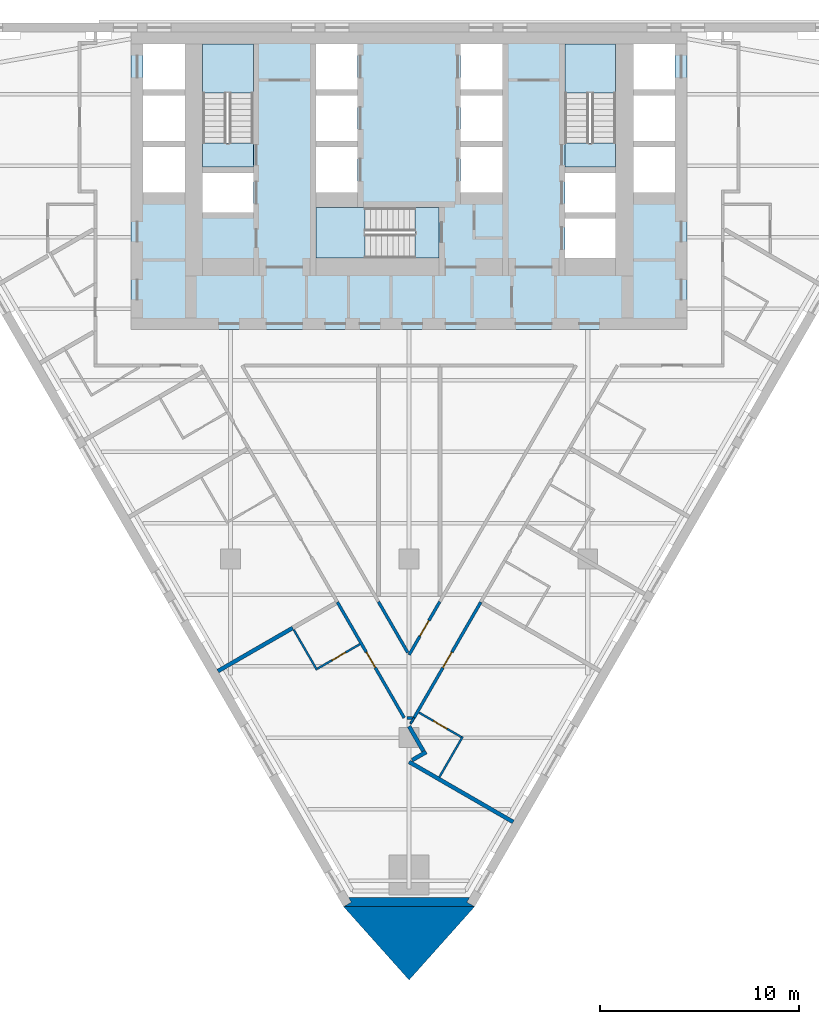
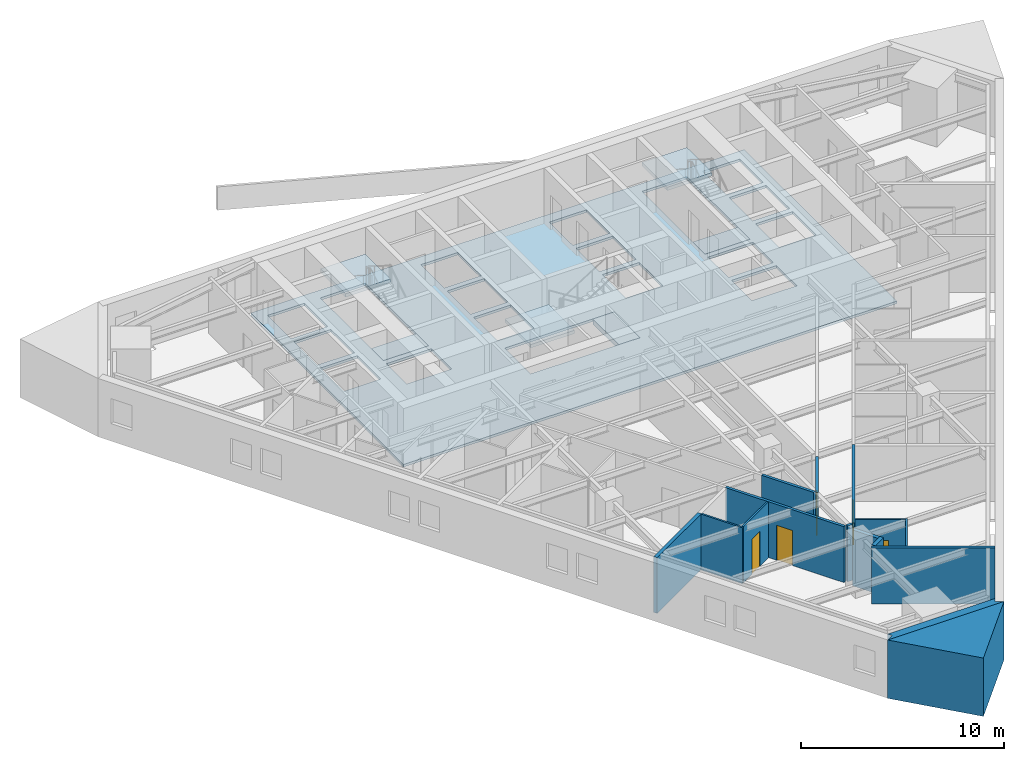
# One storey, part 2 of 11: 16 walls, 7 slabs, 5 doors, 5 openings, 3 elements without a shape of their own.
"""IFC4 building model written with IfcOpenShell, lengths in metres."""

from ifc_helpers import new_model, si_unit, direction, frame, frame_2d, origin, place, context, subcontext, project, spatial, polyline, rectangle, outline, extrude, material, layer, layer_set, type_object, element, fill, aggregate, save


model = new_model("IFC4")

# Units and contexts
model_context = context("Model", 3, precision=1e-05, world=origin(), true_north=direction((0.0, 1.0)))
body_context = subcontext(model_context, "Body", "Model", "MODEL_VIEW")
ifc_project = project(units=[si_unit("LENGTHUNIT", "METRE"), si_unit("AREAUNIT", "SQUARE_METRE"), si_unit("VOLUMEUNIT", "CUBIC_METRE"), si_unit("PLANEANGLEUNIT", "RADIAN"), si_unit("MASSUNIT", "GRAM", prefix="KILO")], contexts=[model_context])

# Site, building, storey
site_placement = place(None, origin())
site = spatial("IfcSite", under=ifc_project, at=site_placement, CompositionType="ELEMENT")
building_placement = place(site_placement, origin())
building = spatial("IfcBuilding", under=site, at=building_placement, Name="Aloe Facet Convention Tower", CompositionType="ELEMENT")
storey_placement = place(building_placement, frame((0.0, 0.0, 38.5)))
storey = spatial("IfcBuildingStorey", under=building, at=storey_placement, Name="L07", CompositionType="ELEMENT", Elevation=38.5)

# Slabs
ifc_material_1 = material(Name="Concrete C80/95", Category="concrete")
ifc_layer_1 = layer(ifc_material_1, 0.14990234375)
ifc_layer_set_1 = layer_set([ifc_layer_1], Name="CR-S-FLOOR150-C8095")
slab_type_1 = type_object("IfcSlabType", Name="CR-S-FLOOR150-C8095", PredefinedType="FLOOR", material=ifc_layer_set_1)
slab_1_placement = place(storey_placement, frame((0.0, 0.0, -0.14990234375)))
element("IfcSlab", 1, at=slab_1_placement, inside=storey, type_object=slab_type_1, Name="Core floor L07", PredefinedType="FLOOR", context=body_context, shape_type="SweptSolid", body=[
    extrude(outline(polyline([(69.300048828125, 134.550048828125), (71.85009765625, 134.550048828125), (72.75, 134.550048828125), (74.699951171875, 134.550048828125), (75.60009765625, 134.550048828125), (77.10009765625, 134.550048828125), (78.0, 134.550048828125), (82.0, 134.550048828125), (82.89990234375, 134.550048828125), (84.39990234375, 134.550048828125), (85.300048828125, 134.550048828125), (87.25, 134.550048828125), (88.14990234375, 134.550048828125), (90.699951171875, 134.550048828125), (91.0, 134.550048828125), (94.0, 134.550048828125), (94.0, 131.949951171875), (94.0, 131.050048828125), (94.0, 129.35009765625), (94.0, 128.449951171875), (94.0, 126.449951171875), (94.0, 125.85009765625), (94.0, 123.57373046875), (94.0, 122.523681640625), (94.0, 119.550048828125), (91.300048828125, 119.550048828125), (90.699951171875, 119.550048828125), (87.89990234375, 119.550048828125), (86.85009765625, 119.550048828125), (85.699951171875, 119.550048828125), (84.64990234375, 119.550048828125), (83.699951171875, 119.550048828125), (82.64990234375, 119.550048828125), (81.75, 119.550048828125), (80.699951171875, 119.550048828125), (79.61669921875, 119.550048828125), (78.566650390625, 119.550048828125), (77.4833984375, 119.550048828125), (76.433349609375, 119.550048828125), (75.35009765625, 119.550048828125), (74.300048828125, 119.550048828125), (73.14990234375, 119.550048828125), (72.10009765625, 119.550048828125), (69.300048828125, 119.550048828125), (68.699951171875, 119.550048828125), (66.0, 119.550048828125), (66.0, 122.523681640625), (66.0, 123.57373046875), (66.0, 125.85009765625), (66.0, 126.449951171875), (66.0, 128.449951171875), (66.0, 129.35009765625), (66.0, 131.050048828125), (66.0, 131.949951171875), (66.0, 134.550048828125), (69.0, 134.550048828125), (69.300048828125, 134.550048828125)]), holes=[polyline([(75.300048828125, 123.14990234375), (80.298828125, 123.14990234375), (81.5, 123.14990234375), (81.5, 125.699951171875), (80.298828125, 125.699951171875), (75.300048828125, 125.699951171875), (75.300048828125, 123.14990234375)]), polyline([(69.60009765625, 125.449951171875), (72.14990234375, 125.449951171875), (72.14990234375, 127.449951171875), (69.60009765625, 127.449951171875), (69.60009765625, 125.449951171875)]), polyline([(66.60009765625, 126.449951171875), (68.699951171875, 126.449951171875), (68.699951171875, 128.75), (66.60009765625, 128.75), (66.60009765625, 126.449951171875)]), polyline([(75.300048828125, 126.449951171875), (77.39990234375, 126.449951171875), (77.39990234375, 128.75), (75.300048828125, 128.75), (75.300048828125, 126.449951171875)]), polyline([(66.60009765625, 129.050048828125), (68.699951171875, 129.050048828125), (68.699951171875, 131.35009765625), (66.60009765625, 131.35009765625), (66.60009765625, 129.050048828125)]), polyline([(75.300048828125, 129.050048828125), (77.39990234375, 129.050048828125), (77.39990234375, 131.35009765625), (75.300048828125, 131.35009765625), (75.300048828125, 129.050048828125)]), polyline([(69.60009765625, 133.949951171875), (69.60009765625, 128.951171875), (69.60009765625, 127.75), (72.14990234375, 127.75), (72.14990234375, 128.951171875), (72.14990234375, 133.949951171875), (69.60009765625, 133.949951171875)]), polyline([(66.60009765625, 133.949951171875), (66.60009765625, 131.64990234375), (68.699951171875, 131.64990234375), (68.699951171875, 133.949951171875), (66.60009765625, 133.949951171875)]), polyline([(75.300048828125, 133.949951171875), (75.300048828125, 131.64990234375), (77.39990234375, 131.64990234375), (77.39990234375, 133.949951171875), (75.300048828125, 133.949951171875)]), polyline([(87.85009765625, 123.14990234375), (90.39990234375, 123.14990234375), (90.39990234375, 125.14990234375), (87.85009765625, 125.14990234375), (87.85009765625, 123.14990234375)]), polyline([(87.85009765625, 125.449951171875), (90.39990234375, 125.449951171875), (90.39990234375, 127.449951171875), (87.85009765625, 127.449951171875), (87.85009765625, 125.449951171875)]), polyline([(82.60009765625, 126.449951171875), (84.699951171875, 126.449951171875), (84.699951171875, 128.75), (82.60009765625, 128.75), (82.60009765625, 126.449951171875)]), polyline([(91.300048828125, 126.449951171875), (93.39990234375, 126.449951171875), (93.39990234375, 128.75), (91.300048828125, 128.75), (91.300048828125, 126.449951171875)]), polyline([(82.60009765625, 129.050048828125), (84.699951171875, 129.050048828125), (84.699951171875, 131.35009765625), (82.60009765625, 131.35009765625), (82.60009765625, 129.050048828125)]), polyline([(91.300048828125, 129.050048828125), (93.39990234375, 129.050048828125), (93.39990234375, 131.35009765625), (91.300048828125, 131.35009765625), (91.300048828125, 129.050048828125)]), polyline([(87.85009765625, 133.949951171875), (87.85009765625, 128.951171875), (87.85009765625, 127.75), (90.39990234375, 127.75), (90.39990234375, 128.951171875), (90.39990234375, 133.949951171875), (87.85009765625, 133.949951171875)]), polyline([(82.60009765625, 133.949951171875), (82.60009765625, 131.64990234375), (84.699951171875, 131.64990234375), (84.699951171875, 133.949951171875), (82.60009765625, 133.949951171875)]), polyline([(91.300048828125, 133.949951171875), (91.300048828125, 131.64990234375), (93.39990234375, 131.64990234375), (93.39990234375, 133.949951171875), (91.300048828125, 133.949951171875)])]), origin(), (0.0, 0.0, 1.0), 0.14990234375),
])
ifc_material_2 = material(Name="Concrete C80/95", Category="concrete")
ifc_layer_2 = layer(ifc_material_2, 0.300048828125)
ifc_layer_set_2 = layer_set([ifc_layer_2], Name="CR-S-FLOOR300-C8095")
slab_type_2 = type_object("IfcSlabType", Name="CR-S-FLOOR300-C8095", PredefinedType="FLOOR", material=ifc_layer_set_2)
slab_2_placement = place(storey_placement, frame((0.0, 0.0, -0.300048828125)))
element("IfcSlab", 2, at=slab_2_placement, inside=storey, type_object=slab_type_2, Name="Stair landing floor L07", PredefinedType="FLOOR", context=body_context, shape_type="SweptSolid", body=[
    extrude(outline(polyline([(72.14990234375, 127.75), (72.14990234375, 128.951171875), (69.60009765625, 128.951171875), (69.60009765625, 127.75), (72.14990234375, 127.75)])), origin(), (0.0, 0.0, 1.0), 0.300048828125),
])
slab_3_placement = place(storey_placement, frame((0.0, 0.0, -0.300048828125)))
element("IfcSlab", 3, at=slab_3_placement, inside=storey, type_object=slab_type_2, Name="Stair landing floor L07", PredefinedType="FLOOR", context=body_context, shape_type="SweptSolid", body=[
    extrude(outline(polyline([(90.39990234375, 127.75), (90.39990234375, 128.951171875), (87.85009765625, 128.951171875), (87.85009765625, 127.75), (90.39990234375, 127.75)])), origin(), (0.0, 0.0, 1.0), 0.300048828125),
])
slab_4_placement = place(storey_placement, frame((0.0, 0.0, -0.300048828125)))
element("IfcSlab", 4, at=slab_4_placement, inside=storey, type_object=slab_type_2, Name="Stair landing floor L07", PredefinedType="FLOOR", context=body_context, shape_type="SweptSolid", body=[
    extrude(outline(polyline([(81.5, 125.699951171875), (80.298828125, 125.699951171875), (80.298828125, 123.14990234375), (81.5, 123.14990234375), (81.5, 125.699951171875)])), origin(), (0.0, 0.0, 1.0), 0.300048828125),
])

# Stair, slab
ifc_material_3 = material(Name="Concrete C50/60", Category="concrete")
stair_type = type_object("IfcStairType", Name="CR-ST-20R", PredefinedType="HALF_TURN_STAIR", material=ifc_material_3)
stair_1_placement = place(storey_placement, origin())
stair_1 = element("IfcStair", 5, at=stair_1_placement, inside=storey, type_object=stair_type, Name="L07 Protected exit stair ST1", PredefinedType="HALF_TURN_STAIR")
ifc_material_4 = material(Name="Concrete C50/60", Category="concrete")
ifc_layer_3 = layer(ifc_material_4, 0.199951171875)
ifc_layer_set_3 = layer_set([ifc_layer_3], Name="CR-SL-LANDING")
slab_type_3 = type_object("IfcSlabType", Name="CR-SL-LANDING", PredefinedType="LANDING", material=ifc_layer_set_3)
slab_5_placement = place(storey_placement, frame((0.0, 0.0, 1.550048828125)))
slab_5 = element("IfcSlab", 6, at=slab_5_placement, type_object=slab_type_3, Name="ST1 landing 1", PredefinedType="LANDING", context=body_context, shape_type="SweptSolid", body=[
    extrude(outline(polyline([(72.14990234375, 131.469970703125), (72.14990234375, 133.949951171875), (69.60009765625, 133.949951171875), (69.60009765625, 131.469970703125), (72.14990234375, 131.469970703125)])), origin(), (0.0, 0.0, 1.0), 0.199951171875),
])
aggregate(stair_1, [slab_5])

stair_2_placement = place(storey_placement, origin())
stair_2 = element("IfcStair", 7, at=stair_2_placement, inside=storey, type_object=stair_type, Name="L07 Protected exit stair ST2", PredefinedType="HALF_TURN_STAIR")
slab_6_placement = place(storey_placement, frame((0.0, 0.0, 1.550048828125)))
slab_6 = element("IfcSlab", 8, at=slab_6_placement, type_object=slab_type_3, Name="ST2 landing 1", PredefinedType="LANDING", context=body_context, shape_type="SweptSolid", body=[
    extrude(outline(polyline([(90.39990234375, 131.469970703125), (90.39990234375, 133.949951171875), (87.85009765625, 133.949951171875), (87.85009765625, 131.469970703125), (90.39990234375, 131.469970703125)])), origin(), (0.0, 0.0, 1.0), 0.199951171875),
])
aggregate(stair_2, [slab_6])

stair_3_placement = place(storey_placement, origin())
stair_3 = element("IfcStair", 9, at=stair_3_placement, inside=storey, type_object=stair_type, Name="L07 Protected exit stair ST3", PredefinedType="HALF_TURN_STAIR")
slab_7_placement = place(storey_placement, frame((0.0, 0.0, 1.550048828125)))
slab_7 = element("IfcSlab", 10, at=slab_7_placement, type_object=slab_type_3, Name="ST3 landing 1", PredefinedType="LANDING", context=body_context, shape_type="SweptSolid", body=[
    extrude(outline(polyline([(77.780029296875, 125.699951171875), (75.300048828125, 125.699951171875), (75.300048828125, 123.14990234375), (77.780029296875, 123.14990234375), (77.780029296875, 125.699951171875)])), origin(), (0.0, 0.0, 1.0), 0.199951171875),
])
aggregate(stair_3, [slab_7])

# Walls
ifc_material_5 = material(Name="Precast concrete C40/50", Category="concrete")
ifc_layer_4 = layer(ifc_material_5, 0.449951171875)
ifc_layer_set_4 = layer_set([ifc_layer_4], Name="EV-WALL-PIER")
wall_type_1 = type_object("IfcWallType", Name="EV-WALL-PIER", PredefinedType="SOLIDWALL", material=ifc_layer_set_4)
wall_1_placement = place(storey_placement, frame((0.0, 0.0, -0.14990234375)))
element("IfcWall", 11, at=wall_1_placement, inside=storey, type_object=wall_type_1, Name="EP-L07-B", PredefinedType="SOLIDWALL", context=body_context, shape_type="SweptSolid", body=[
    extrude(outline(polyline([(76.699951171875, 90.486328125), (77.089599609375, 90.711181640625), (76.959716796875, 90.936279296875), (83.040283203125, 90.936279296875), (82.910400390625, 90.711181640625), (83.300048828125, 90.486328125), (76.699951171875, 90.486328125)])), origin(), (0.0, 0.0, 1.0), 3.5),
])
ifc_material_6 = material(Name="Precast concrete C40/50", Category="concrete")
ifc_layer_5 = layer(ifc_material_6, 3.947998046875)
ifc_layer_set_5 = layer_set([ifc_layer_5], Name="EV-WALL-SPINE")
wall_type_2 = type_object("IfcWallType", Name="EV-WALL-SPINE", PredefinedType="SOLIDWALL", material=ifc_layer_set_5)
wall_2_placement = place(storey_placement, frame((0.0, 0.0, -0.14990234375)))
element("IfcWall", 12, at=wall_2_placement, inside=storey, type_object=wall_type_2, Name="SP-S-L07", PredefinedType="SOLIDWALL", context=body_context, shape_type="SweptSolid", body=[
    extrude(outline(polyline([(76.699951171875, 90.486328125), (80.0, 86.7919921875), (83.300048828125, 90.486328125), (76.699951171875, 90.486328125)])), origin(), (0.0, 0.0, 1.0), 3.5),
])

# Wall, opening, door
ifc_material_7 = material(Name="Gypsum board partition on steel studs", Category="steel")
ifc_layer_6 = layer(ifc_material_7, 0.14990234375)
ifc_layer_set_6 = layer_set([ifc_layer_6], Name="IN-W-CORR")
wall_type_3 = type_object("IfcWallType", Name="IN-W-CORR", PredefinedType="PARTITIONING", material=ifc_layer_set_6)
wall_3_placement = place(storey_placement, frame((76.388671875, 105.82568359375, 0.0), z_axis=(0.0, 0.0, 1.0), x_axis=(0.500034510166, -0.866005478414, 0.0)))
wall_3 = element("IfcWall", 13, at=wall_3_placement, inside=storey, type_object=wall_type_3, Name="Partition L07-W011", PredefinedType="PARTITIONING", context=body_context, shape_type="SweptSolid", body=[
    extrude(rectangle(XDim=6.72705078125, YDim=0.14990234375, at=frame_2d((3.363525390625, 0.0))), origin(), (0.0, 0.0, 1.0), 3.35009765625),
])
opening_1_placement = place(wall_3_placement, frame((2.91357421875, 0.0, 0.0)))
opening_1 = element("IfcOpeningElement", 14, at=opening_1_placement, cuts=wall_3, Name="Opening L07-007", PredefinedType="OPENING", context=body_context, shape_type="SweptSolid", body=[
    extrude(rectangle(XDim=0.89990234375, YDim=2.10009765625, at=frame_2d((0.449951171875, 1.050048828125))), frame((0.0, 0.0849609375, 0.0), z_axis=(0.0, -1.0, 0.0), x_axis=(1.0, 0.0, 0.0)), (0.0, 0.0, 1.0), 0.169921875),
])
ifc_material_8 = material(Name="Hardwood flush door FD30S", Category="wood")
door_type_1 = type_object("IfcDoorType", Name="IN-D-GUEST", OperationType="SINGLE_SWING_LEFT", PredefinedType="DOOR", material=ifc_material_8)
door_1_placement = place(opening_1_placement, origin())
door_1 = element("IfcDoor", 15, at=door_1_placement, inside=storey, type_object=door_type_1, Name="Door L07-007", OperationType="SINGLE_SWING_LEFT", OverallHeight=2.10009765625, OverallWidth=0.89990234375, PredefinedType="DOOR", context=body_context, shape_type="SweptSolid", body=[
    extrude(rectangle(XDim=0.89990234375, YDim=2.10009765625, at=frame_2d((0.449951171875, 1.050048828125))), frame((0.0, 0.02490234375, 0.0), z_axis=(0.0, -1.0, 0.0), x_axis=(1.0, 0.0, 0.0)), (0.0, 0.0, 1.0), 0.050048828125),
])
fill(opening_1, door_1)

# Wall
wall_4_placement = place(storey_placement, frame((79.88232421875, 100.0, 0.0), z_axis=(0.0, 0.0, 1.0), x_axis=(1.0, 0.0, 0.0)))
element("IfcWall", 16, at=wall_4_placement, inside=storey, type_object=wall_type_3, Name="Partition L07-W012", PredefinedType="PARTITIONING", context=body_context, shape_type="SweptSolid", body=[
    extrude(rectangle(XDim=0.29052734375, YDim=0.14990234375, at=frame_2d((0.145263671875, 0.0))), origin(), (0.0, 0.0, 1.0), 3.35009765625),
])

# Wall, opening, door
wall_5_placement = place(storey_placement, frame((80.0, 103.17041015625, 0.0), z_axis=(0.0, 0.0, 1.0), x_axis=(0.499980071345, 0.866036909293, 0.0)))
wall_5 = element("IfcWall", 17, at=wall_5_placement, inside=storey, type_object=wall_type_3, Name="Partition L07-W018", PredefinedType="PARTITIONING", context=body_context, shape_type="SweptSolid", body=[
    extrude(rectangle(XDim=3.090087890625, YDim=0.14990234375, at=frame_2d((1.544921875, 0.0))), origin(), (0.0, 0.0, 1.0), 3.35009765625),
])
opening_2_placement = place(wall_5_placement, frame((1.094970703125, 0.0, 0.0)))
opening_2 = element("IfcOpeningElement", 18, at=opening_2_placement, cuts=wall_5, Name="Opening L07-014", PredefinedType="OPENING", context=body_context, shape_type="SweptSolid", body=[
    extrude(rectangle(XDim=0.89990234375, YDim=2.10009765625, at=frame_2d((0.449951171875, 1.050048828125))), frame((0.0, 0.0849609375, 0.0), z_axis=(0.0, -1.0, 0.0), x_axis=(1.0, 0.0, 0.0)), (0.0, 0.0, 1.0), 0.169921875),
])
door_2_placement = place(opening_2_placement, origin())
door_2 = element("IfcDoor", 19, at=door_2_placement, inside=storey, type_object=door_type_1, Name="Door L07-014", OperationType="SINGLE_SWING_LEFT", OverallHeight=2.10009765625, OverallWidth=0.89990234375, PredefinedType="DOOR", context=body_context, shape_type="SweptSolid", body=[
    extrude(rectangle(XDim=0.89990234375, YDim=2.10009765625, at=frame_2d((0.449951171875, 1.050048828125))), frame((0.0, 0.02490234375, 0.0), z_axis=(0.0, -1.0, 0.0), x_axis=(1.0, 0.0, 0.0)), (0.0, 0.0, 1.0), 0.050048828125),
])
fill(opening_2, door_2)

wall_6_placement = place(storey_placement, frame((80.248046875, 100.0, 0.0), z_axis=(0.0, 0.0, 1.0), x_axis=(0.499980071345, 0.866036909293, 0.0)))
wall_6 = element("IfcWall", 20, at=wall_6_placement, inside=storey, type_object=wall_type_3, Name="Partition L07-W025", PredefinedType="PARTITIONING", context=body_context, shape_type="SweptSolid", body=[
    extrude(rectangle(XDim=6.726806640625, YDim=0.14990234375, at=frame_2d((3.36328125, 0.0))), origin(), (0.0, 0.0, 1.0), 3.35009765625),
])
opening_3_placement = place(wall_6_placement, frame((2.91357421875, 0.0, 0.0)))
opening_3 = element("IfcOpeningElement", 21, at=opening_3_placement, cuts=wall_6, Name="Opening L07-008", PredefinedType="OPENING", context=body_context, shape_type="SweptSolid", body=[
    extrude(rectangle(XDim=0.89990234375, YDim=2.10009765625, at=frame_2d((0.449951171875, 1.050048828125))), frame((0.0, 0.0849609375, 0.0), z_axis=(0.0, -1.0, 0.0), x_axis=(1.0, 0.0, 0.0)), (0.0, 0.0, 1.0), 0.169921875),
])
door_3_placement = place(opening_3_placement, origin())
door_3 = element("IfcDoor", 22, at=door_3_placement, inside=storey, type_object=door_type_1, Name="Door L07-008", OperationType="SINGLE_SWING_LEFT", OverallHeight=2.10009765625, OverallWidth=0.89990234375, PredefinedType="DOOR", context=body_context, shape_type="SweptSolid", body=[
    extrude(rectangle(XDim=0.89990234375, YDim=2.10009765625, at=frame_2d((0.449951171875, 1.050048828125))), frame((0.0, 0.02490234375, 0.0), z_axis=(0.0, -1.0, 0.0), x_axis=(1.0, 0.0, 0.0)), (0.0, 0.0, 1.0), 0.050048828125),
])
fill(opening_3, door_3)

# Walls
wall_7_placement = place(storey_placement, frame((78.455078125, 105.846435546875, 0.0), z_axis=(0.0, 0.0, 1.0), x_axis=(0.499988999718, -0.866031754707, 0.0)))
element("IfcWall", 23, at=wall_7_placement, inside=storey, type_object=wall_type_3, Name="Partition L07-W027", PredefinedType="PARTITIONING", context=body_context, shape_type="SweptSolid", body=[
    extrude(rectangle(XDim=2.9599609375, YDim=0.14990234375, at=frame_2d((1.47998046875, 0.0))), origin(), (0.0, 0.0, 1.0), 3.35009765625),
])
ifc_material_9 = material(Name="Gypsum board partition on steel studs", Category="steel")
ifc_layer_7 = layer(ifc_material_9, 0.10009765625)
ifc_layer_set_7 = layer_set([ifc_layer_7], Name="IN-W-PART")
wall_type_4 = type_object("IfcWallType", Name="IN-W-PART", PredefinedType="PARTITIONING", material=ifc_layer_set_7)
wall_8_placement = place(storey_placement, frame((81.526123046875, 97.013671875, 0.0), z_axis=(0.0, 0.0, 1.0), x_axis=(0.499938297808, 0.866061024631, 0.0)))
element("IfcWall", 24, at=wall_8_placement, inside=storey, type_object=wall_type_4, Name="Partition L07-W007", PredefinedType="PARTITIONING", context=body_context, shape_type="SweptSolid", body=[
    extrude(rectangle(XDim=2.349853515625, YDim=0.10009765625, at=frame_2d((1.1748046875, 0.0))), origin(), (0.0, 0.0, 1.0), 3.35009765625),
])
wall_9_placement = place(storey_placement, frame((80.072265625, 99.695556640625, 0.0), z_axis=(0.0, 0.0, 1.0), x_axis=(0.500023029176, 0.866012107475, 0.0)))
element("IfcWall", 25, at=wall_9_placement, inside=storey, type_object=wall_type_4, Name="Partition L07-W009", PredefinedType="PARTITIONING", context=body_context, shape_type="SweptSolid", body=[
    extrude(rectangle(XDim=0.3515625, YDim=0.10009765625, at=frame_2d((0.17578125, 0.0))), origin(), (0.0, 0.0, 1.0), 3.35009765625),
])

# Wall, opening, door
wall_10_placement = place(storey_placement, frame((80.498046875, 100.262939453125, 0.0), z_axis=(0.0, 0.0, 1.0), x_axis=(0.866040446274, -0.499973944738, 0.0)))
wall_10 = element("IfcWall", 26, at=wall_10_placement, inside=storey, type_object=wall_type_4, Name="Partition L07-W014", PredefinedType="PARTITIONING", context=body_context, shape_type="SweptSolid", body=[
    extrude(rectangle(XDim=2.465087890625, YDim=0.10009765625, at=frame_2d((1.232421875, 0.0))), origin(), (0.0, 0.0, 1.0), 3.35009765625),
])
opening_4_placement = place(wall_10_placement, frame((0.83251953125, 0.0, 0.0)))
opening_4 = element("IfcOpeningElement", 27, at=opening_4_placement, cuts=wall_10, Name="Opening L07-023", PredefinedType="OPENING", context=body_context, shape_type="SweptSolid", body=[
    extrude(rectangle(XDim=0.800048828125, YDim=2.10009765625, at=frame_2d((0.39990234375, 1.050048828125))), frame((0.0, 0.06005859375, 0.0), z_axis=(0.0, -1.0, 0.0), x_axis=(1.0, 0.0, 0.0)), (0.0, 0.0, 1.0), 0.1201171875),
])
ifc_material_10 = material(Name="Timber flush door", Category="wood")
door_type_2 = type_object("IfcDoorType", Name="IN-D-BATH", OperationType="SINGLE_SWING_LEFT", PredefinedType="DOOR", material=ifc_material_10)
door_4_placement = place(opening_4_placement, origin())
door_4 = element("IfcDoor", 28, at=door_4_placement, inside=storey, type_object=door_type_2, Name="Door L07-023", OperationType="SINGLE_SWING_LEFT", OverallHeight=2.10009765625, OverallWidth=0.800048828125, PredefinedType="DOOR", context=body_context, shape_type="SweptSolid", body=[
    extrude(rectangle(XDim=0.800048828125, YDim=2.10009765625, at=frame_2d((0.39990234375, 1.050048828125))), frame((0.0, 0.02490234375, 0.0), z_axis=(0.0, -1.0, 0.0), x_axis=(1.0, 0.0, 0.0)), (0.0, 0.0, 1.0), 0.050048828125),
])
fill(opening_4, door_4)

# Wall
wall_11_placement = place(storey_placement, frame((74.19189453125, 104.430419921875, 0.0), z_axis=(0.0, 0.0, 1.0), x_axis=(0.499954256575, -0.866051812152, 0.0)))
element("IfcWall", 29, at=wall_11_placement, inside=storey, type_object=wall_type_4, Name="Partition L07-W017", PredefinedType="PARTITIONING", context=body_context, shape_type="SweptSolid", body=[
    extrude(rectangle(XDim=2.340087890625, YDim=0.10009765625, at=frame_2d((1.169921875, 0.0))), origin(), (0.0, 0.0, 1.0), 3.35009765625),
])

# Wall, opening, door
wall_12_placement = place(storey_placement, frame((75.388916015625, 102.477294921875, 0.0), z_axis=(0.0, 0.0, 1.0), x_axis=(0.866040446274, 0.499973944738, 0.0)))
wall_12 = element("IfcWall", 30, at=wall_12_placement, inside=storey, type_object=wall_type_4, Name="Partition L07-W019", PredefinedType="PARTITIONING", context=body_context, shape_type="SweptSolid", body=[
    extrude(rectangle(XDim=2.465087890625, YDim=0.10009765625, at=frame_2d((1.232421875, 0.0))), origin(), (0.0, 0.0, 1.0), 3.35009765625),
])
opening_5_placement = place(wall_12_placement, frame((0.83251953125, 0.0, 0.0)))
opening_5 = element("IfcOpeningElement", 31, at=opening_5_placement, cuts=wall_12, Name="Opening L07-022", PredefinedType="OPENING", context=body_context, shape_type="SweptSolid", body=[
    extrude(rectangle(XDim=0.800048828125, YDim=2.10009765625, at=frame_2d((0.39990234375, 1.050048828125))), frame((0.0, 0.06005859375, 0.0), z_axis=(0.0, -1.0, 0.0), x_axis=(1.0, 0.0, 0.0)), (0.0, 0.0, 1.0), 0.1201171875),
])
door_5_placement = place(opening_5_placement, origin())
door_5 = element("IfcDoor", 32, at=door_5_placement, inside=storey, type_object=door_type_2, Name="Door L07-022", OperationType="SINGLE_SWING_LEFT", OverallHeight=2.10009765625, OverallWidth=0.800048828125, PredefinedType="DOOR", context=body_context, shape_type="SweptSolid", body=[
    extrude(rectangle(XDim=0.800048828125, YDim=2.10009765625, at=frame_2d((0.39990234375, 1.050048828125))), frame((0.0, 0.02490234375, 0.0), z_axis=(0.0, -1.0, 0.0), x_axis=(1.0, 0.0, 0.0)), (0.0, 0.0, 1.0), 0.050048828125),
])
fill(opening_5, door_5)

# Walls
ifc_material_11 = material(Name="Gypsum board partition on steel studs", Category="steel")
ifc_layer_8 = layer(ifc_material_11, 0.199951171875)
ifc_layer_set_8 = layer_set([ifc_layer_8], Name="IN-W-PARTY")
wall_type_5 = type_object("IfcWallType", Name="IN-W-PARTY", PredefinedType="PARTITIONING", material=ifc_layer_set_8)
wall_13_placement = place(storey_placement, frame((80.0, 97.779296875, 0.0), z_axis=(0.0, 0.0, 1.0), x_axis=(0.866028448709, -0.499994725999, 0.0)))
element("IfcWall", 33, at=wall_13_placement, inside=storey, type_object=wall_type_5, Name="Partition L07-W001", PredefinedType="PARTITIONING", context=body_context, shape_type="SweptSolid", body=[
    extrude(rectangle(XDim=6.05419921875, YDim=0.199951171875, at=frame_2d((3.027099609375, 0.0))), origin(), (0.0, 0.0, 1.0), 3.35009765625),
])
wall_14_placement = place(storey_placement, frame((80.14990234375, 97.865966796875, 0.0), z_axis=(0.0, 0.0, 1.0), x_axis=(0.86609656662, 0.499876722092, 0.0)))
element("IfcWall", 34, at=wall_14_placement, inside=storey, type_object=wall_type_5, Name="Partition L07-W005", PredefinedType="PARTITIONING", context=body_context, shape_type="SweptSolid", body=[
    extrude(rectangle(XDim=0.822021484375, YDim=0.199951171875, at=frame_2d((0.4111328125, 0.0))), origin(), (0.0, 0.0, 1.0), 3.35009765625),
])
wall_15_placement = place(storey_placement, frame((80.0, 99.570556640625, 0.0), z_axis=(0.0, 0.0, 1.0), x_axis=(0.499673574751, -0.866213783483, 0.0)))
element("IfcWall", 35, at=wall_15_placement, inside=storey, type_object=wall_type_5, Name="Partition L07-W006", PredefinedType="PARTITIONING", context=body_context, shape_type="SweptSolid", body=[
    extrude(rectangle(XDim=1.44140625, YDim=0.199951171875, at=frame_2d((0.720703125, 0.0))), origin(), (0.0, 0.0, 1.0), 3.35009765625),
])
wall_16_placement = place(storey_placement, frame((70.36962890625, 102.3505859375, 0.0), z_axis=(0.0, 0.0, 1.0), x_axis=(0.866027639635, 0.499996127374, 0.0)))
element("IfcWall", 36, at=wall_16_placement, inside=storey, type_object=wall_type_5, Name="Partition L07-W015", PredefinedType="PARTITIONING", context=body_context, shape_type="SweptSolid", body=[
    extrude(rectangle(XDim=4.35009765625, YDim=0.199951171875, at=frame_2d((2.175048828125, 0.0))), origin(), (0.0, 0.0, 1.0), 3.35009765625),
])

save(model, "model.ifc")
